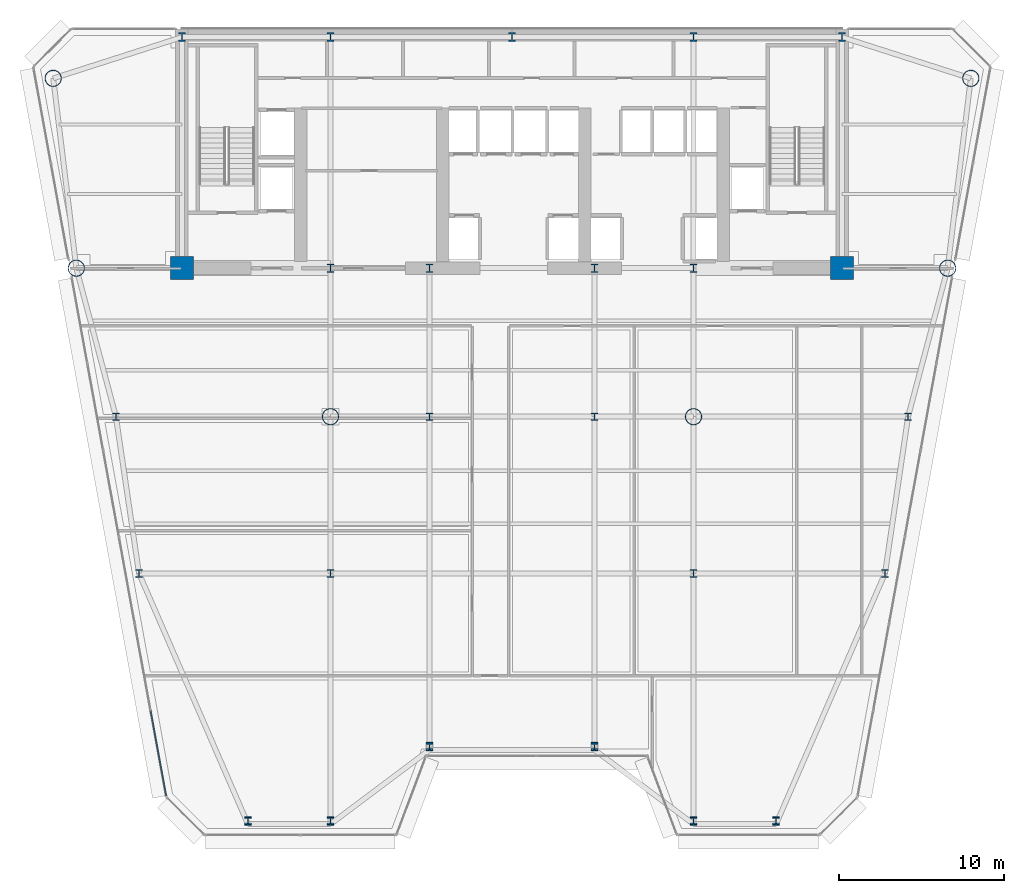
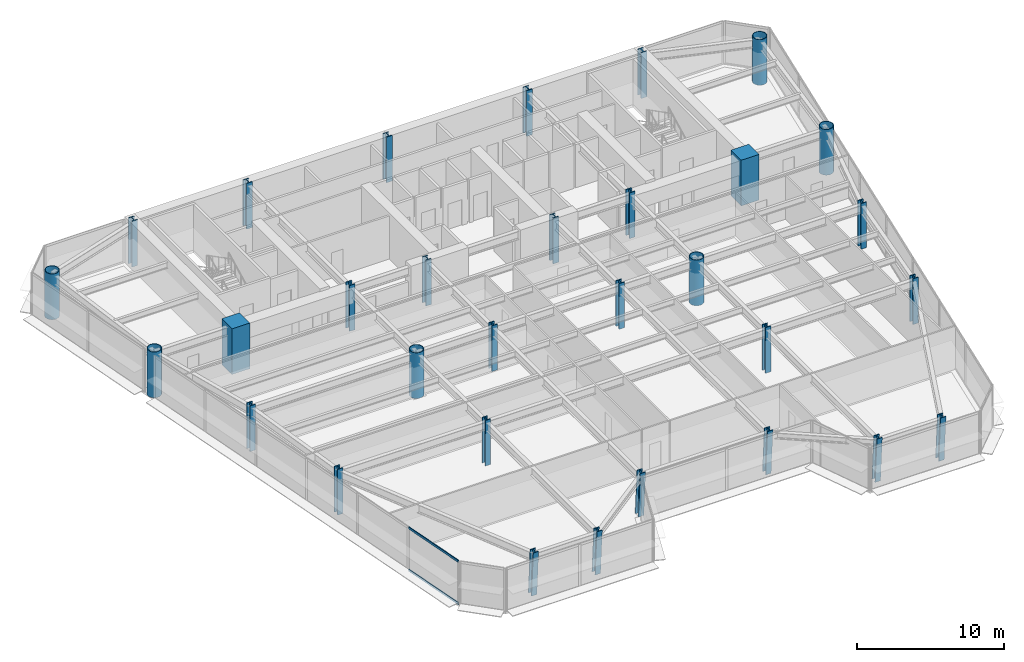
# One storey, part 1 of 14: 31 columns, 2 members, 1 element without a shape of its own.
"""IFC4 building model written with IfcOpenShell, lengths in metres."""

import ifcopenshell
import ifcopenshell.guid

model = None  # the IFC model being written
_history = None  # IfcOwnerHistory: only IFC2X3 demands one
_inside = {}  # id of a spatial element -> (the spatial element, [elements in it])
_under = {}  # id of a project, library or spatial element -> (it, [spatial elements below it])
_declared = {}  # id of a project -> (the project, [libraries it declares])
_typed = {}  # id of a type object -> (the type object, [elements of that type])
_made_of = {}  # id of a material, layer set ... -> (it, [elements and type objects made of it])


def new_model(schema):
    """Start an empty IFC model of exactly this schema.

    Asked for "IFC4X3", IfcOpenShell would pick the latest addendum, in which some entities
    have other attributes; the version numbers below select the first issue.
    IFC2X3 requires an IfcOwnerHistory on every rooted entity: one is made here for all.
    """
    global model, _history
    if schema == "IFC4X3":
        model = ifcopenshell.file(schema_version=(4, 3, 0, 0))
    else:
        model = ifcopenshell.file(schema=schema)
    _inside.clear()
    _under.clear()
    _declared.clear()
    _typed.clear()
    _made_of.clear()
    _history = None
    if model.schema == "IFC2X3":
        org = make("IfcOrganization", Name="unknown")
        user = make(
            "IfcPersonAndOrganization",
            ThePerson=make("IfcPerson", FamilyName="unknown"),
            TheOrganization=org,
        )
        app = make(
            "IfcApplication",
            ApplicationDeveloper=org,
            Version="unknown",
            ApplicationFullName="unknown",
            ApplicationIdentifier="unknown",
        )
        _history = make(
            "IfcOwnerHistory",
            OwningUser=user,
            OwningApplication=app,
            ChangeAction="ADDED",
            CreationDate=0,
        )
    return model


def make(cls, **values):
    """One entity of the class cls with the attributes given. An attribute that is None is left unset."""
    return model.create_entity(
        cls, **{name: value for name, value in values.items() if value is not None}
    )


def rooted(cls, **values):
    """An entity with a GlobalId (a new one), such as an element, a storey or a relation."""
    return make(cls, GlobalId=ifcopenshell.guid.new(), OwnerHistory=_history, **values)


def si_unit(unit_type, name, prefix=None):
    """IfcSIUnit, for example si_unit("LENGTHUNIT", "METRE", prefix="MILLI")."""
    return make("IfcSIUnit", UnitType=unit_type, Prefix=prefix, Name=name)


def assignment(units):
    """IfcUnitAssignment: the units of a project."""
    return None if units is None else make("IfcUnitAssignment", Units=units)


def point(xyz):
    """IfcCartesianPoint."""
    return None if xyz is None else make("IfcCartesianPoint", Coordinates=xyz)


def direction(xyz):
    """IfcDirection."""
    return None if xyz is None else make("IfcDirection", DirectionRatios=xyz)


def frame(location, z_axis=None, x_axis=None):
    """IfcAxis2Placement3D, a coordinate frame: its origin and axes. An axis left out is left unset."""
    return make(
        "IfcAxis2Placement3D",
        Location=point(location),
        Axis=direction(z_axis),
        RefDirection=direction(x_axis),
    )


def frame_2d(location, x_axis=None):
    """IfcAxis2Placement2D, a coordinate frame in the plane: its origin and x axis."""
    return make(
        "IfcAxis2Placement2D", Location=point(location), RefDirection=direction(x_axis)
    )


def origin():
    """The frame at (0, 0, 0) with its axes left unset."""
    return frame((0.0, 0.0, 0.0))


def origin_2d():
    """The frame at (0, 0) in the plane with its x axis left unset."""
    return frame_2d((0.0, 0.0))


def place(relative_to, where):
    """IfcLocalPlacement: puts the frame where relative to a parent placement (None: the world)."""
    return make(
        "IfcLocalPlacement", PlacementRelTo=relative_to, RelativePlacement=where
    )


def context(
    kind, dimensions, precision=None, world=None, true_north=None, identifier=None
):
    """IfcGeometricRepresentationContext, for example the 3D "Model" context."""
    return make(
        "IfcGeometricRepresentationContext",
        ContextIdentifier=identifier,
        ContextType=kind,
        CoordinateSpaceDimension=dimensions,
        Precision=precision,
        WorldCoordinateSystem=world,
        TrueNorth=true_north,
    )


def subcontext(parent, identifier, kind, view, scale=None):
    """IfcGeometricRepresentationSubContext, for example "Body" below "Model"."""
    return make(
        "IfcGeometricRepresentationSubContext",
        ContextIdentifier=identifier,
        ContextType=kind,
        ParentContext=parent,
        TargetScale=scale,
        TargetView=view,
    )


def project(units=None, contexts=None):
    """IfcProject with its units and contexts."""
    return rooted(
        "IfcProject",
        Name="project",
        RepresentationContexts=contexts,
        UnitsInContext=assignment(units),
    )


def spatial(cls, under=None, at=None, **own):
    """A site, building, storey or space (cls), placed at a placement, below another one or the project."""
    s = rooted(cls, ObjectPlacement=at, **own)
    if under is not None:
        _under.setdefault(under.id(), (under, []))[1].append(s)
    return s


def profile(cls, at=None, kind="AREA", **sizes):
    """A parametric profile (cls). Its sizes go by their IFC names, for example OverallWidth=200.0."""
    return make(cls, ProfileType=kind, Position=at, **sizes)


def rectangle(**sizes):
    """IfcRectangleProfileDef."""
    return profile("IfcRectangleProfileDef", **sizes)


def hollow_circle(**sizes):
    """IfcCircleHollowProfileDef."""
    return profile("IfcCircleHollowProfileDef", **sizes)


def i_section(**sizes):
    """IfcIShapeProfileDef."""
    return profile("IfcIShapeProfileDef", **sizes)


def extrude(swept, where, along, depth):
    """IfcExtrudedAreaSolid: the profile swept, set in the frame where, extruded along a direction by depth."""
    return make(
        "IfcExtrudedAreaSolid",
        SweptArea=swept,
        Position=where,
        ExtrudedDirection=direction(along),
        Depth=depth,
    )


def shape(context_of_items, identifier, shape_type, items):
    """IfcShapeRepresentation: the items that make up one representation, for example the "Body"."""
    return make(
        "IfcShapeRepresentation",
        ContextOfItems=context_of_items,
        RepresentationIdentifier=identifier,
        RepresentationType=shape_type,
        Items=items,
    )


def source(mapping_origin, context_of_items, identifier, shape_type, items):
    """IfcRepresentationMap: a shape defined once, which mapped items show again and again."""
    return make(
        "IfcRepresentationMap",
        MappingOrigin=mapping_origin,
        MappedRepresentation=shape(context_of_items, identifier, shape_type, items),
    )


def transform(
    local_origin,
    x_axis=None,
    y_axis=None,
    z_axis=None,
    scale=None,
    scale2=None,
    scale3=None,
    uniform=True,
):
    """IfcCartesianTransformationOperator3D, or its non-uniform kind. x_axis, y_axis, z_axis: its Axis1, 2, 3."""
    if uniform:
        return make(
            "IfcCartesianTransformationOperator3D",
            Axis1=direction(x_axis),
            Axis2=direction(y_axis),
            LocalOrigin=point(local_origin),
            Scale=scale,
            Axis3=direction(z_axis),
        )
    return make(
        "IfcCartesianTransformationOperator3DnonUniform",
        Axis1=direction(x_axis),
        Axis2=direction(y_axis),
        LocalOrigin=point(local_origin),
        Scale=scale,
        Axis3=direction(z_axis),
        Scale2=scale2,
        Scale3=scale3,
    )


def mapped(mapping_source, mapping_target):
    """IfcMappedItem: shows the shape of a source again, moved by a transform."""
    return make(
        "IfcMappedItem", MappingSource=mapping_source, MappingTarget=mapping_target
    )


def material(Name=None, Category=None):
    """IfcMaterial."""
    return make("IfcMaterial", Name=Name, Category=Category)


def layer(
    of_material, thickness, ventilated=None, Name=None, Category=None, Priority=None
):
    """IfcMaterialLayer: one layer of a wall or slab, of a material (None: an air gap)."""
    return make(
        "IfcMaterialLayer",
        Material=of_material,
        LayerThickness=thickness,
        IsVentilated=ventilated,
        Name=Name,
        Category=Category,
        Priority=Priority,
    )


def layer_set(layers, Name=None):
    """IfcMaterialLayerSet."""
    return make("IfcMaterialLayerSet", MaterialLayers=layers, LayerSetName=Name)


def material_profile(
    of_material, cross_section, Name=None, Category=None, Priority=None
):
    """IfcMaterialProfile: a cross section and its material."""
    return make(
        "IfcMaterialProfile",
        Name=Name,
        Material=of_material,
        Profile=cross_section,
        Priority=Priority,
        Category=Category,
    )


def profile_set(profiles, Name=None, composite=None):
    """IfcMaterialProfileSet."""
    return make(
        "IfcMaterialProfileSet",
        Name=Name,
        MaterialProfiles=profiles,
        CompositeProfile=composite,
    )


def made_of(thing, what):
    """Note that an element or type object is made of a material, layer set ...; save() writes the relation."""
    if what is not None:
        _made_of.setdefault(what.id(), (what, []))[1].append(thing)
    return thing


def type_object(cls, material=None, **own):
    """A type object (cls), such as IfcWallType, which elements share."""
    return made_of(rooted(cls, **own), material)


def element(
    cls,
    number,
    at=None,
    inside=None,
    cuts=None,
    type_object=None,
    material=None,
    context=None,
    identifier="Body",
    shape_type=None,
    held_by="IfcProductDefinitionShape",
    body=None,
    shapes=None,
    **own,
):
    """One element of the class cls, such as IfcWall. Its Tag is "e" and its number.

    at: its placement. inside: the storey or other place that contains it. cuts: it is an
    opening in that element (IfcRelVoidsElement). A single representation is given by context,
    identifier, shape_type and body (its items); several are given by shapes. held_by: the class
    of the entity that holds the representations. save() writes the other relations.
    """
    e = rooted(cls, Tag="e%d" % number, ObjectPlacement=at, **own)
    if body is not None:
        shapes = [shape(context, identifier, shape_type, body)]
    if shapes is not None:
        e.Representation = make(held_by, Representations=shapes)
    if inside is not None:
        _inside.setdefault(inside.id(), (inside, []))[1].append(e)
    if cuts is not None:
        rooted(
            "IfcRelVoidsElement", RelatingBuildingElement=cuts, RelatedOpeningElement=e
        )
    if type_object is not None:
        _typed.setdefault(type_object.id(), (type_object, []))[1].append(e)
    return made_of(e, material)


def aggregate(whole, parts):
    """IfcRelAggregates: a whole, such as a stair, and the parts it consists of."""
    return rooted("IfcRelAggregates", RelatingObject=whole, RelatedObjects=parts)


def save(model, path):
    """Write the relations noted so far, then the file.

    IfcRelAggregates (storeys below a building ...), IfcRelContainedInSpatialStructure (elements
    in a storey), IfcRelDefinesByType, IfcRelAssociatesMaterial and IfcRelDeclares: one each for
    every whole, place, type object, material and project.
    """
    for whole, parts in _under.values():
        aggregate(whole, parts)
    for where, things in _inside.values():
        rooted(
            "IfcRelContainedInSpatialStructure",
            RelatedElements=things,
            RelatingStructure=where,
        )
    for kind, things in _typed.values():
        rooted("IfcRelDefinesByType", RelatedObjects=things, RelatingType=kind)
    for what, things in _made_of.values():
        rooted("IfcRelAssociatesMaterial", RelatedObjects=things, RelatingMaterial=what)
    for by, libraries in _declared.values():
        rooted("IfcRelDeclares", RelatingContext=by, RelatedDefinitions=libraries)
    model.write(path)


model = new_model("IFC4")

# Units and contexts
model_context = context("Model", 3, precision=1e-05, world=origin(), true_north=direction((0.0, 1.0)))
body_context = subcontext(model_context, "Body", "Model", "MODEL_VIEW")
ifc_project = project(units=[si_unit("LENGTHUNIT", "METRE"), si_unit("AREAUNIT", "SQUARE_METRE"), si_unit("VOLUMEUNIT", "CUBIC_METRE"), si_unit("PLANEANGLEUNIT", "RADIAN"), si_unit("MASSUNIT", "GRAM", prefix="KILO")], contexts=[model_context])

# Site, building, storey
site_placement = place(None, origin())
site = spatial("IfcSite", under=ifc_project, at=site_placement, CompositionType="ELEMENT")
building_placement = place(site_placement, origin())
building = spatial("IfcBuilding", under=site, at=building_placement, Name="Vaeldorn Concourse Tower", CompositionType="ELEMENT")
storey_placement = place(building_placement, frame((0.0, 0.0, 111.0)))
storey = spatial("IfcBuildingStorey", under=building, at=storey_placement, Name="L28", CompositionType="ELEMENT", Elevation=111.0)

# Columns
ifc_material_1 = material(Name="Concrete C60/75", Category="concrete")
ifc_material_profile_1 = material_profile(ifc_material_1, rectangle(XDim=1.39990234375, YDim=1.39990234375, at=origin_2d()), Name="RC 1400x1400")
ifc_profile_set_1 = profile_set([ifc_material_profile_1], Name="Concrete C60/75")
column_type_1 = type_object("IfcColumnType", Name="COL-RC1400", PredefinedType="COLUMN", material=ifc_profile_set_1)
shared_shape_1 = source(origin(), body_context, "Body", "SweptSolid", [
    extrude(rectangle(XDim=1.39990234375, YDim=1.39990234375, at=origin_2d()), origin(), (0.0, 0.0, 1.0), 3.800048828125),
])
for number, where, z_axis, x_axis, name in (
    (1, (14.0, 36.5, 0.0), (0.0, 0.0, 1.0), (1.0, 0.0, 0.0), "Column C-FC1 L28"),
    (2, (54.0, 36.5, 0.0), (0.0, 0.0, 1.0), (1.0, 0.0, 0.0), "Column C-FC6 L28"),
):
    element("IfcColumn", number, at=place(storey_placement, frame(where, z_axis=z_axis, x_axis=x_axis)), inside=storey, type_object=column_type_1, Name=name, PredefinedType="COLUMN", context=body_context, shape_type="MappedRepresentation", body=[
        mapped(shared_shape_1, transform((0.0, 0.0, 0.0), scale=1.0)),
    ])
ifc_material_2 = material(Name="Steel S460", Category="steel")
ifc_material_profile_2 = material_profile(ifc_material_2, i_section(OverallWidth=0.44189453125, OverallDepth=0.531005859375, WebThickness=0.06494140625, FlangeThickness=0.075927734375, FilletRadius=0.014892578125, at=origin_2d()), Name="HD 400x900")
ifc_profile_set_2 = profile_set([ifc_material_profile_2], Name="Steel S460")
column_type_2 = type_object("IfcColumnType", Name="COL-HD900", PredefinedType="COLUMN", material=ifc_profile_set_2)
shared_shape_2 = source(origin(), body_context, "Body", "SweptSolid", [
    extrude(i_section(OverallWidth=0.44189453125, OverallDepth=0.531005859375, WebThickness=0.06494140625, FlangeThickness=0.075927734375, FilletRadius=0.014892578125, at=origin_2d()), origin(), (0.0, 0.0, 1.0), 3.800048828125),
])
for number, where, z_axis, x_axis, name in (
    (3, (23.0, 36.5, 0.0), (0.0, 0.0, 1.0), (1.0, 0.0, 0.0), "Column C-FC2 L28"),
    (4, (29.0, 36.5, 0.0), (0.0, 0.0, 1.0), (1.0, 0.0, 0.0), "Column C-FC3 L28"),
    (5, (39.0, 36.5, 0.0), (0.0, 0.0, 1.0), (1.0, 0.0, 0.0), "Column C-FC4 L28"),
    (6, (45.0, 36.5, 0.0), (0.0, 0.0, 1.0), (1.0, 0.0, 0.0), "Column C-FC5 L28"),
    (7, (14.0, 50.5, 0.0), (0.0, 0.0, 1.0), (1.0, 0.0, 0.0), "Column C-HC1 L28"),
    (8, (23.0, 50.5, 0.0), (0.0, 0.0, 1.0), (1.0, 0.0, 0.0), "Column C-HC2 L28"),
    (9, (34.0, 50.5, 0.0), (0.0, 0.0, 1.0), (1.0, 0.0, 0.0), "Column C-HC3 L28"),
    (10, (45.0, 50.5, 0.0), (0.0, 0.0, 1.0), (1.0, 0.0, 0.0), "Column C-HC4 L28"),
    (11, (54.0, 50.5, 0.0), (0.0, 0.0, 1.0), (1.0, 0.0, 0.0), "Column C-HC5 L28"),
):
    element("IfcColumn", number, at=place(storey_placement, frame(where, z_axis=z_axis, x_axis=x_axis)), inside=storey, type_object=column_type_2, Name=name, PredefinedType="COLUMN", context=body_context, shape_type="MappedRepresentation", body=[
        mapped(shared_shape_2, transform((0.0, 0.0, 0.0), scale=1.0)),
    ])
ifc_material_profile_3 = material_profile(ifc_material_2, hollow_circle(Radius=0.508056640625, WallThickness=0.044921875, at=origin_2d()), Name="CHS 1016x45")
ifc_profile_set_3 = profile_set([ifc_material_profile_3], Name="Steel S460")
column_type_3 = type_object("IfcColumnType", Name="COL-CHS1016", PredefinedType="COLUMN", material=ifc_profile_set_3)
shared_shape_3 = source(origin(), body_context, "Body", "SweptSolid", [
    extrude(hollow_circle(Radius=0.508056640625, WallThickness=0.044921875, at=origin_2d()), origin(), (0.0, 0.0, 1.0), 3.800048828125),
])
for number, where, z_axis, x_axis, name in (
    (12, (6.199951171875, 48.0, 0.0), (0.0, 0.0, 1.0), (1.0, 0.0, 0.0), "Column C-NW1 L28"),
    (13, (7.60009765625, 36.5, 0.0), (0.0, 0.0, 1.0), (1.0, 0.0, 0.0), "Column C-NW2 L28"),
    (14, (61.800048828125, 48.0, 0.0), (0.0, 0.0, 1.0), (1.0, 0.0, 0.0), "Column C-NE1 L28"),
    (15, (60.39990234375, 36.5, 0.0), (0.0, 0.0, 1.0), (1.0, 0.0, 0.0), "Column C-NE2 L28"),
    (16, (23.0, 27.5, 0.0), (0.0, 0.0, 1.0), (1.0, 0.0, 0.0), "Column C-TW1 L28"),
    (17, (45.0, 27.5, 0.0), (0.0, 0.0, 1.0), (1.0, 0.0, 0.0), "Column C-TW4 L28"),
):
    element("IfcColumn", number, at=place(storey_placement, frame(where, z_axis=z_axis, x_axis=x_axis)), inside=storey, type_object=column_type_3, Name=name, PredefinedType="COLUMN", context=body_context, shape_type="MappedRepresentation", body=[
        mapped(shared_shape_3, transform((0.0, 0.0, 0.0), scale=1.0)),
    ])
ifc_material_profile_4 = material_profile(ifc_material_2, i_section(OverallWidth=0.424072265625, OverallDepth=0.47412109375, WebThickness=0.047119140625, FlangeThickness=0.06494140625, FilletRadius=0.014892578125, at=origin_2d()), Name="HD 400x634")
ifc_profile_set_4 = profile_set([ifc_material_profile_4], Name="Steel S460")
column_type_4 = type_object("IfcColumnType", Name="COL-HD634F", PredefinedType="COLUMN", material=ifc_profile_set_4)
shared_shape_4 = source(origin(), body_context, "Body", "SweptSolid", [
    extrude(i_section(OverallWidth=0.424072265625, OverallDepth=0.47412109375, WebThickness=0.047119140625, FlangeThickness=0.06494140625, FilletRadius=0.014892578125, at=origin_2d()), origin(), (0.0, 0.0, 1.0), 3.800048828125),
])
for number, where, z_axis, x_axis, name in (
    (18, (10.0, 27.5, 0.0), (0.0, 0.0, 1.0), (1.0, 0.0, 0.0), "Column C-FLW1 L28"),
    (19, (11.39990234375, 18.0, 0.0), (0.0, 0.0, 1.0), (1.0, 0.0, 0.0), "Column C-FLW2 L28"),
    (20, (58.0, 27.5, 0.0), (0.0, 0.0, 1.0), (1.0, 0.0, 0.0), "Column C-FLE1 L28"),
    (21, (56.60009765625, 18.0, 0.0), (0.0, 0.0, 1.0), (1.0, 0.0, 0.0), "Column C-FLE2 L28"),
):
    element("IfcColumn", number, at=place(storey_placement, frame(where, z_axis=z_axis, x_axis=x_axis)), inside=storey, type_object=column_type_4, Name=name, PredefinedType="COLUMN", context=body_context, shape_type="MappedRepresentation", body=[
        mapped(shared_shape_4, transform((0.0, 0.0, 0.0), scale=1.0)),
    ])
ifc_material_profile_5 = material_profile(ifc_material_2, i_section(OverallWidth=0.424072265625, OverallDepth=0.47412109375, WebThickness=0.047119140625, FlangeThickness=0.06494140625, FilletRadius=0.014892578125, at=origin_2d()), Name="HD 400x634")
ifc_profile_set_5 = profile_set([ifc_material_profile_5], Name="Steel S460")
column_type_5 = type_object("IfcColumnType", Name="COL-HD634T", PredefinedType="COLUMN", material=ifc_profile_set_5)
shared_shape_5 = source(origin(), body_context, "Body", "SweptSolid", [
    extrude(i_section(OverallWidth=0.424072265625, OverallDepth=0.47412109375, WebThickness=0.047119140625, FlangeThickness=0.06494140625, FilletRadius=0.014892578125, at=origin_2d()), origin(), (0.0, 0.0, 1.0), 3.800048828125),
])
for number, where, z_axis, x_axis, name in (
    (22, (29.0, 27.5, 0.0), (0.0, 0.0, 1.0), (1.0, 0.0, 0.0), "Column C-TW2 L28"),
    (23, (39.0, 27.5, 0.0), (0.0, 0.0, 1.0), (1.0, 0.0, 0.0), "Column C-TW3 L28"),
    (24, (23.0, 18.0, 0.0), (0.0, 0.0, 1.0), (1.0, 0.0, 0.0), "Column C-TW5 L28"),
    (25, (45.0, 18.0, 0.0), (0.0, 0.0, 1.0), (1.0, 0.0, 0.0), "Column C-TW6 L28"),
):
    element("IfcColumn", number, at=place(storey_placement, frame(where, z_axis=z_axis, x_axis=x_axis)), inside=storey, type_object=column_type_5, Name=name, PredefinedType="COLUMN", context=body_context, shape_type="MappedRepresentation", body=[
        mapped(shared_shape_5, transform((0.0, 0.0, 0.0), scale=1.0)),
    ])
shared_shape_6 = source(origin(), body_context, "Body", "SweptSolid", [
    extrude(i_section(OverallWidth=0.424072265625, OverallDepth=0.47412109375, WebThickness=0.047119140625, FlangeThickness=0.06494140625, FilletRadius=0.014892578125, at=origin_2d()), origin(), (0.0, 0.0, 1.0), 3.74365234375),
])
for number, where, z_axis, x_axis, name in (
    (26, (18.0, 3.0517578125, 0.031982421875), (0.0, -0.063908817043, 0.997955742057), (1.0, 0.0, 0.0), "Column C-SF1 L28"),
    (27, (23.0, 3.0517578125, 0.031982421875), (0.0, -0.063908817043, 0.997955742057), (1.0, 0.0, 0.0), "Column C-SF2 L28"),
    (28, (29.0, 7.5517578125, 0.031982421875), (0.0, -0.063908817043, 0.997955742057), (1.0, 0.0, 0.0), "Column C-SF3 L28"),
    (29, (39.0, 7.5517578125, 0.031982421875), (0.0, -0.063908817043, 0.997955742057), (1.0, 0.0, 0.0), "Column C-SF4 L28"),
    (30, (45.0, 3.0517578125, 0.031982421875), (0.0, -0.063908817043, 0.997955742057), (1.0, 0.0, 0.0), "Column C-SF5 L28"),
    (31, (50.0, 3.0517578125, 0.031982421875), (0.0, -0.063908817043, 0.997955742057), (1.0, 0.0, 0.0), "Column C-SF6 L28"),
):
    element("IfcColumn", number, at=place(storey_placement, frame(where, z_axis=z_axis, x_axis=x_axis)), inside=storey, type_object=column_type_5, Name=name, PredefinedType="COLUMN", context=body_context, shape_type="MappedRepresentation", body=[
        mapped(shared_shape_6, transform((0.0, 0.0, 0.0), scale=1.0)),
    ])

# Curtain wall, members
ifc_material_3 = material(Name="Anodised Bronze Aluminium", Category="aluminium")
ifc_layer = layer(ifc_material_3, 0.199951171875)
ifc_layer_set = layer_set([ifc_layer], Name="Anodised Bronze Aluminium")
curtain_wall_type = type_object("IfcCurtainWallType", Name="CW-SYS-02", PredefinedType="NOTDEFINED", material=ifc_layer_set)
curtain_wall_placement = place(storey_placement, origin())
curtain_wall = element("IfcCurtainWall", 32, at=curtain_wall_placement, inside=storey, type_object=curtain_wall_type, Name="Unitised Curtain Wall CW-L28-E11-2", PredefinedType="NOTDEFINED")
ifc_material_profile_6 = material_profile(ifc_material_3, rectangle(XDim=0.074951171875, YDim=0.179931640625, at=origin_2d()), Name="CWT 75x180")
ifc_profile_set_6 = profile_set([ifc_material_profile_6], Name="Anodised Bronze Aluminium")
member_type = type_object("IfcMemberType", Name="CWT-BRONZE-180", PredefinedType="USERDEFINED", material=ifc_profile_set_6)
shared_shape_7 = source(origin(), body_context, "Body", "SweptSolid", [
    extrude(rectangle(XDim=0.074951171875, YDim=0.179931640625, at=origin_2d()), origin(), (0.0, 0.0, 1.0), 5.229248046875),
])
member_1_placement = place(storey_placement, frame((12.109375, 9.669921875, 0.03759765625), z_axis=(0.179234652041, -0.983806352647, 0.0), x_axis=(0.983806352647, 0.179234652041, 0.0)))
member_1 = element("IfcMember", 33, at=member_1_placement, type_object=member_type, Name="CW-02 transom 6.1", ObjectType="TRANSOM", PredefinedType="USERDEFINED", context=body_context, shape_type="MappedRepresentation", body=[
    mapped(shared_shape_7, transform((0.0, 0.0, 0.0), scale=1.0)),
])
member_2_placement = place(storey_placement, frame((12.109375, 9.669921875, 3.54248046875), z_axis=(0.179234652041, -0.983806352647, 0.0), x_axis=(0.983806352647, 0.179234652041, 0.0)))
member_2 = element("IfcMember", 34, at=member_2_placement, type_object=member_type, Name="CW-02 transom 6.2", ObjectType="TRANSOM", PredefinedType="USERDEFINED", context=body_context, shape_type="MappedRepresentation", body=[
    mapped(shared_shape_7, transform((0.0, 0.0, 0.0), scale=1.0)),
])
aggregate(curtain_wall, [member_1, member_2])

save(model, "model.ifc")
